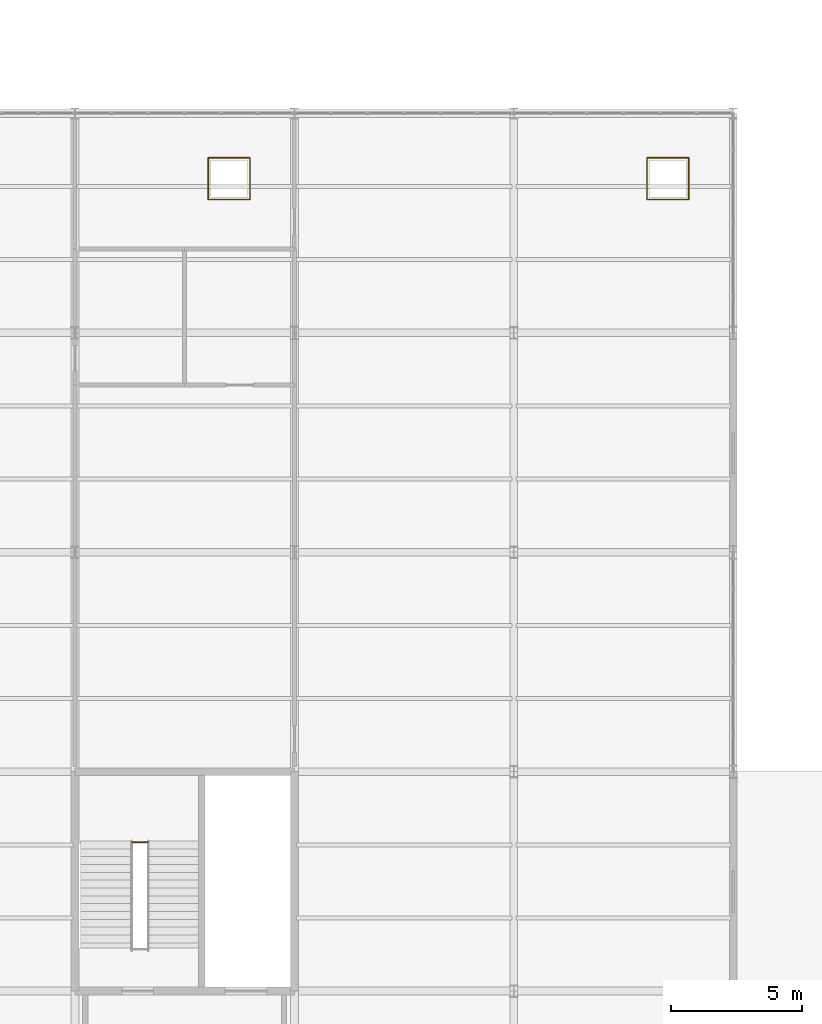
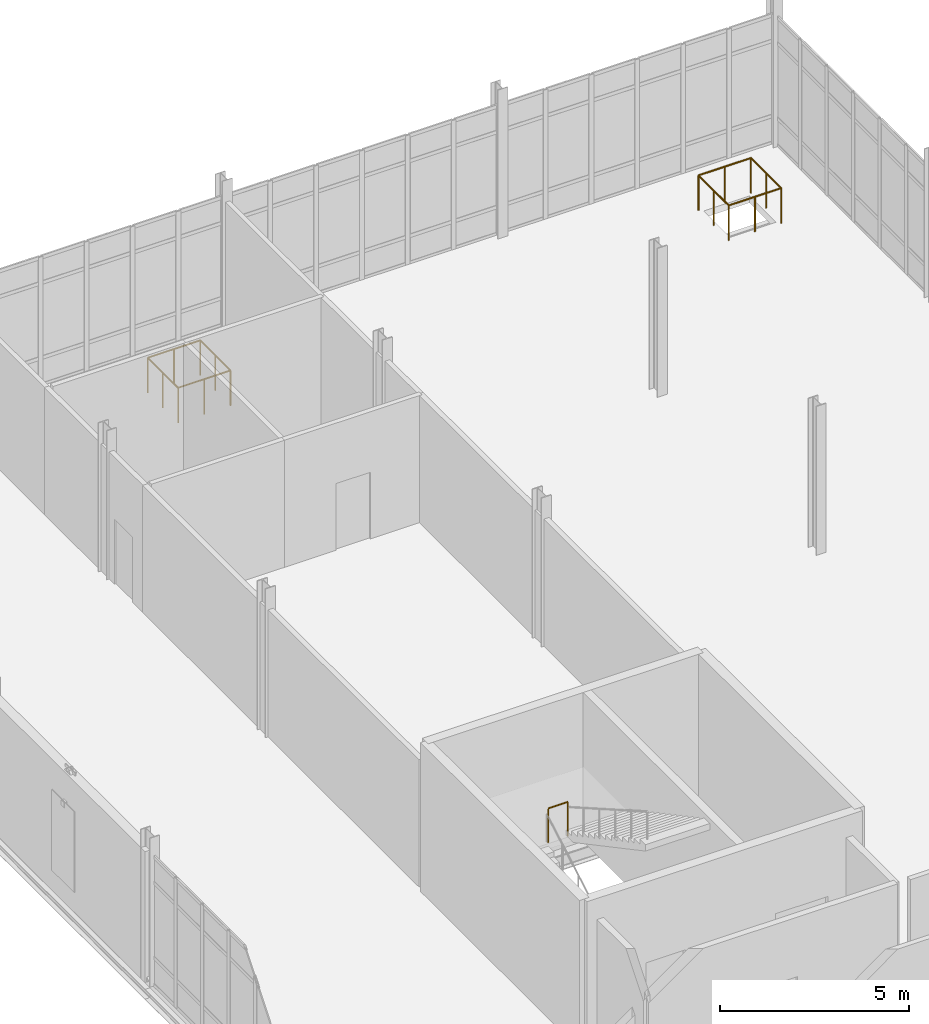
# One storey, part 139 of 145: 3 railings.
"""IFC4 building model written with IfcOpenShell, lengths in metres."""

from ifc_helpers import new_model, si_unit, direction, frame, origin, origin_2d, place, context, subcontext, project, spatial, circle, extrude, material, type_object, element, save


model = new_model("IFC4")

# Units and contexts
model_context = context("Model", 3, precision=1e-05, world=origin(), true_north=direction((0.0, 1.0)))
body_context = subcontext(model_context, "Body", "Model", "MODEL_VIEW")
ifc_project = project(units=[si_unit("LENGTHUNIT", "METRE"), si_unit("AREAUNIT", "SQUARE_METRE"), si_unit("VOLUMEUNIT", "CUBIC_METRE"), si_unit("PLANEANGLEUNIT", "RADIAN"), si_unit("MASSUNIT", "GRAM", prefix="KILO")], contexts=[model_context])

# Site, building, storey
site_placement = place(None, origin())
site = spatial("IfcSite", under=ifc_project, at=site_placement, CompositionType="ELEMENT")
building_placement = place(site_placement, origin())
building = spatial("IfcBuilding", under=site, at=building_placement, Name="Qalvenar Corner Mobility Hub", CompositionType="ELEMENT")
storey_placement = place(building_placement, origin())
storey = spatial("IfcBuildingStorey", under=building, at=storey_placement, Name="L00", CompositionType="ELEMENT", Elevation=0.0)

# Railings
ifc_material_1 = material(Name="Art Nouveau Bronze-Finished Steel Balustrade", Category="steel")
railing_type_1 = type_object("IfcRailingType", Name="RL-GUARD-110", PredefinedType="GUARDRAIL", material=ifc_material_1)
railing_1_placement = place(storey_placement, frame((10.590087890625, 64.5, 2.39990234375)))
element("IfcRailing", 1, at=railing_1_placement, inside=storey, type_object=railing_type_1, Name="Stair Half-Landing Well Guard ST5-L00", PredefinedType="GUARDRAIL", context=body_context, shape_type="SweptSolid", body=[
    extrude(circle(Radius=0.02392578125, at=origin_2d()), frame((0.0, 0.0, 1.09619140625), z_axis=(1.0, 0.0, 0.0), x_axis=(0.0, 1.0, 0.0)), (0.0, 0.0, 1.0), 0.599853515625),
    extrude(circle(Radius=0.02099609375, at=origin_2d()), origin(), (0.0, 0.0, 1.0), 1.072021484375),
    extrude(circle(Radius=0.02099609375, at=origin_2d()), frame((0.599853515625, 0.0, 0.0)), (0.0, 0.0, 1.0), 1.072021484375),
])
ifc_material_2 = material(Name="Galvanised Steel Deck Edge Barrier", Category="steel")
railing_type_2 = type_object("IfcRailingType", Name="RL-GUARD-115", PredefinedType="GUARDRAIL", material=ifc_material_2)
railing_2_placement = place(storey_placement, frame((13.5, 89.10009765625, 0.0)))
element("IfcRailing", 2, at=railing_2_placement, inside=storey, type_object=railing_type_2, Name="Riser Opening Guard V5-A-L00", PredefinedType="GUARDRAIL", context=body_context, shape_type="SweptSolid", body=[
    extrude(circle(Radius=0.02392578125, at=origin_2d()), frame((0.0, 0.0, 1.1259765625), z_axis=(1.0, 0.0, 0.0), x_axis=(0.0, 1.0, 0.0)), (0.0, 0.0, 1.0), 1.60009765625),
    extrude(circle(Radius=0.02392578125, at=origin_2d()), frame((1.60009765625, 0.0, 1.1259765625), z_axis=(0.0, 1.0, 0.0), x_axis=(-1.0, 0.0, 0.0)), (0.0, 0.0, 1.0), 1.599853515625),
    extrude(circle(Radius=0.02392578125, at=origin_2d()), frame((1.60009765625, 1.599853515625, 1.1259765625), z_axis=(-1.0, 0.0, 0.0), x_axis=(0.0, -1.0, 0.0)), (0.0, 0.0, 1.0), 1.60009765625),
    extrude(circle(Radius=0.02392578125, at=origin_2d()), frame((0.0, 1.599853515625, 1.1259765625), z_axis=(0.0, -1.0, 0.0), x_axis=(1.0, 0.0, 0.0)), (0.0, 0.0, 1.0), 1.599853515625),
    extrude(circle(Radius=0.02099609375, at=origin_2d()), origin(), (0.0, 0.0, 1.0), 1.101806640625),
    extrude(circle(Radius=0.02099609375, at=origin_2d()), frame((0.800048828125, 0.0, 0.0)), (0.0, 0.0, 1.0), 1.101806640625),
    extrude(circle(Radius=0.02099609375, at=origin_2d()), frame((1.60009765625, 0.0, 0.0)), (0.0, 0.0, 1.0), 1.101806640625),
    extrude(circle(Radius=0.02099609375, at=origin_2d()), frame((1.60009765625, 0.7998046875, 0.0)), (0.0, 0.0, 1.0), 1.101806640625),
    extrude(circle(Radius=0.02099609375, at=origin_2d()), frame((1.60009765625, 1.599853515625, 0.0)), (0.0, 0.0, 1.0), 1.101806640625),
    extrude(circle(Radius=0.02099609375, at=origin_2d()), frame((0.800048828125, 1.599853515625, 0.0)), (0.0, 0.0, 1.0), 1.101806640625),
    extrude(circle(Radius=0.02099609375, at=origin_2d()), frame((0.0, 1.599853515625, 0.0)), (0.0, 0.0, 1.0), 1.101806640625),
    extrude(circle(Radius=0.02099609375, at=origin_2d()), frame((0.0, 0.7998046875, 0.0)), (0.0, 0.0, 1.0), 1.101806640625),
])
railing_3_placement = place(storey_placement, frame((30.300048828125, 89.10009765625, 0.0)))
element("IfcRailing", 3, at=railing_3_placement, inside=storey, type_object=railing_type_2, Name="Riser Opening Guard V5-B-L00", PredefinedType="GUARDRAIL", context=body_context, shape_type="SweptSolid", body=[
    extrude(circle(Radius=0.02392578125, at=origin_2d()), frame((0.0, 0.0, 1.1259765625), z_axis=(1.0, 0.0, 0.0), x_axis=(0.0, 1.0, 0.0)), (0.0, 0.0, 1.0), 1.599853515625),
    extrude(circle(Radius=0.02392578125, at=origin_2d()), frame((1.599853515625, 0.0, 1.1259765625), z_axis=(0.0, 1.0, 0.0), x_axis=(-1.0, 0.0, 0.0)), (0.0, 0.0, 1.0), 1.599853515625),
    extrude(circle(Radius=0.02392578125, at=origin_2d()), frame((1.599853515625, 1.599853515625, 1.1259765625), z_axis=(-1.0, 0.0, 0.0), x_axis=(0.0, -1.0, 0.0)), (0.0, 0.0, 1.0), 1.599853515625),
    extrude(circle(Radius=0.02392578125, at=origin_2d()), frame((0.0, 1.599853515625, 1.1259765625), z_axis=(0.0, -1.0, 0.0), x_axis=(1.0, 0.0, 0.0)), (0.0, 0.0, 1.0), 1.599853515625),
    extrude(circle(Radius=0.02099609375, at=origin_2d()), origin(), (0.0, 0.0, 1.0), 1.101806640625),
    extrude(circle(Radius=0.02099609375, at=origin_2d()), frame((0.7998046875, 0.0, 0.0)), (0.0, 0.0, 1.0), 1.101806640625),
    extrude(circle(Radius=0.02099609375, at=origin_2d()), frame((1.599853515625, 0.0, 0.0)), (0.0, 0.0, 1.0), 1.101806640625),
    extrude(circle(Radius=0.02099609375, at=origin_2d()), frame((1.599853515625, 0.7998046875, 0.0)), (0.0, 0.0, 1.0), 1.101806640625),
    extrude(circle(Radius=0.02099609375, at=origin_2d()), frame((1.599853515625, 1.599853515625, 0.0)), (0.0, 0.0, 1.0), 1.101806640625),
    extrude(circle(Radius=0.02099609375, at=origin_2d()), frame((0.7998046875, 1.599853515625, 0.0)), (0.0, 0.0, 1.0), 1.101806640625),
    extrude(circle(Radius=0.02099609375, at=origin_2d()), frame((0.0, 1.599853515625, 0.0)), (0.0, 0.0, 1.0), 1.101806640625),
    extrude(circle(Radius=0.02099609375, at=origin_2d()), frame((0.0, 0.7998046875, 0.0)), (0.0, 0.0, 1.0), 1.101806640625),
])

save(model, "model.ifc")
